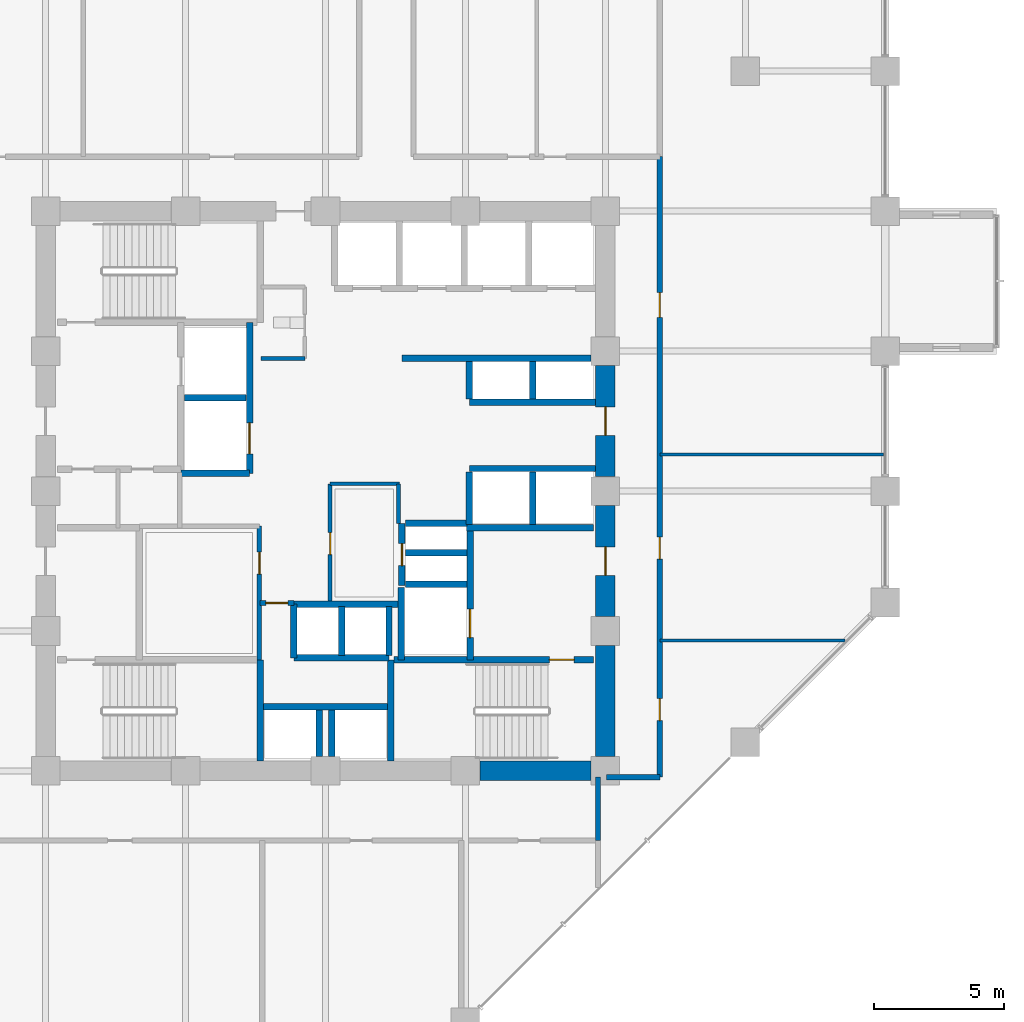
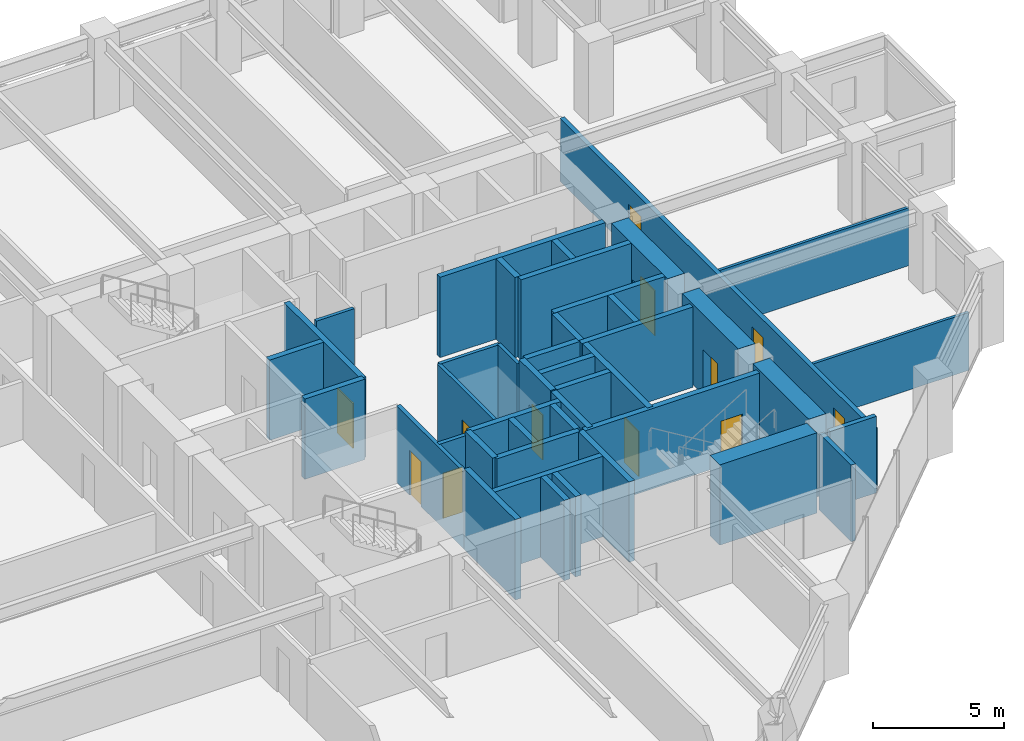
# One storey, part 23 of 29: 43 walls, 12 doors, 12 openings.
"""IFC4 building model written with IfcOpenShell, lengths in metres."""

from ifc_helpers import new_model, si_unit, direction, frame, frame_2d, origin, place, context, subcontext, project, spatial, rectangle, extrude, material, layer, layer_set, type_object, element, fill, save


model = new_model("IFC4")

# Units and contexts
model_context = context("Model", 3, precision=1e-05, world=origin(), true_north=direction((0.0, 1.0)))
body_context = subcontext(model_context, "Body", "Model", "MODEL_VIEW")
ifc_project = project(units=[si_unit("LENGTHUNIT", "METRE"), si_unit("AREAUNIT", "SQUARE_METRE"), si_unit("VOLUMEUNIT", "CUBIC_METRE"), si_unit("PLANEANGLEUNIT", "RADIAN"), si_unit("MASSUNIT", "GRAM", prefix="KILO")], contexts=[model_context])

# Site, building, storey
site_placement = place(None, origin())
site = spatial("IfcSite", under=ifc_project, at=site_placement, CompositionType="ELEMENT")
building_placement = place(site_placement, origin())
building = spatial("IfcBuilding", under=site, at=building_placement, Name="Surkhivell Harbour Commons", CompositionType="ELEMENT")
storey_placement = place(building_placement, frame((0.0, 0.0, 87.0)))
storey = spatial("IfcBuildingStorey", under=building, at=storey_placement, Name="L22", CompositionType="ELEMENT", Elevation=87.0)

# Wall
ifc_material_1 = material(Name="Concrete C60/75", Category="concrete")
ifc_layer_1 = layer(ifc_material_1, 0.75)
ifc_layer_set_1 = layer_set([ifc_layer_1], Name="Concrete C60/75")
wall_type_1 = type_object("IfcWallType", Name="WAL-CORE-750", PredefinedType="SHEAR", material=ifc_layer_set_1)
wall_1_placement = place(storey_placement, frame((10.800048828125, -10.239990234375, 0.0), z_axis=(0.0, 0.0, 1.0), x_axis=(0.0, 1.0, 0.0)))
element("IfcWall", 1, at=wall_1_placement, inside=storey, type_object=wall_type_1, Name="L22 Core Shear Wall East 1", PredefinedType="SHEAR", context=body_context, shape_type="SweptSolid", body=[
    extrude(rectangle(XDim=4.280029296875, YDim=0.75, at=frame_2d((2.14013671875, 0.0))), origin(), (0.0, 0.0, 1.0), 3.75),
])

# Wall, opening, door
wall_2_placement = place(storey_placement, frame((10.800048828125, -4.840087890625, 0.0), z_axis=(0.0, 0.0, 1.0), x_axis=(0.0, 1.0, 0.0)))
wall_2 = element("IfcWall", 2, at=wall_2_placement, inside=storey, type_object=wall_type_1, Name="L22 Core Shear Wall East 2", PredefinedType="SHEAR", context=body_context, shape_type="SweptSolid", body=[
    extrude(rectangle(XDim=4.280029296875, YDim=0.75, at=frame_2d((2.14013671875, 0.0))), origin(), (0.0, 0.0, 1.0), 3.75),
])
opening_1_placement = place(wall_2_placement, frame((1.590087890625, 0.0, 0.0)))
opening_1 = element("IfcOpeningElement", 3, at=opening_1_placement, cuts=wall_2, Name="Opening ID-1", PredefinedType="OPENING", context=body_context, shape_type="SweptSolid", body=[
    extrude(rectangle(XDim=1.10009765625, YDim=2.10009765625, at=frame_2d((0.550048828125, 1.050048828125))), frame((0.0, 0.385009765625, 0.0), z_axis=(0.0, -1.0, 0.0), x_axis=(1.0, 0.0, 0.0)), (0.0, 0.0, 1.0), 0.77001953125),
])
ifc_material_2 = material(Name="Hardwood-veneered fire-rated door leaf", Category="wood")
door_type_1 = type_object("IfcDoorType", Name="DOR-FD120-1100", OperationType="NOTDEFINED", PredefinedType="DOOR", material=ifc_material_2)
door_1_placement = place(opening_1_placement, origin())
door_1 = element("IfcDoor", 4, at=door_1_placement, inside=storey, type_object=door_type_1, Name="L22 Firefighting Lobby 2 Corridor Door", OperationType="SINGLE_SWING_RIGHT", OverallHeight=2.10009765625, OverallWidth=1.10009765625, PredefinedType="DOOR", context=body_context, shape_type="SweptSolid", body=[
    extrude(rectangle(XDim=1.10009765625, YDim=2.10009765625, at=frame_2d((0.550048828125, 1.050048828125))), frame((0.0, 0.02490234375, 0.0), z_axis=(0.0, -1.0, 0.0), x_axis=(1.0, 0.0, 0.0)), (0.0, 0.0, 1.0), 0.050048828125),
])
fill(opening_1, door_1)

wall_3_placement = place(storey_placement, frame((10.800048828125, 0.56005859375, 0.0), z_axis=(0.0, 0.0, 1.0), x_axis=(0.0, 1.0, 0.0)))
wall_3 = element("IfcWall", 5, at=wall_3_placement, inside=storey, type_object=wall_type_1, Name="L22 Core Shear Wall East 3", PredefinedType="SHEAR", context=body_context, shape_type="SweptSolid", body=[
    extrude(rectangle(XDim=4.280029296875, YDim=0.75, at=frame_2d((2.14013671875, 0.0))), origin(), (0.0, 0.0, 1.0), 3.75),
])
opening_2_placement = place(wall_3_placement, frame((1.590087890625, 0.0, 0.0)))
opening_2 = element("IfcOpeningElement", 6, at=opening_2_placement, cuts=wall_3, Name="Opening ID-2", PredefinedType="OPENING", context=body_context, shape_type="SweptSolid", body=[
    extrude(rectangle(XDim=1.10009765625, YDim=2.10009765625, at=frame_2d((0.550048828125, 1.050048828125))), frame((0.0, 0.385009765625, 0.0), z_axis=(0.0, -1.0, 0.0), x_axis=(1.0, 0.0, 0.0)), (0.0, 0.0, 1.0), 0.77001953125),
])
door_type_2 = type_object("IfcDoorType", Name="DOR-FD60-1100", OperationType="NOTDEFINED", PredefinedType="DOOR", material=ifc_material_2)
door_2_placement = place(opening_2_placement, origin())
door_2 = element("IfcDoor", 7, at=door_2_placement, inside=storey, type_object=door_type_2, Name="L22 Mid-Rise Lobby East Door", OperationType="SINGLE_SWING_LEFT", OverallHeight=2.10009765625, OverallWidth=1.10009765625, PredefinedType="DOOR", context=body_context, shape_type="SweptSolid", body=[
    extrude(rectangle(XDim=1.10009765625, YDim=2.10009765625, at=frame_2d((0.550048828125, 1.050048828125))), frame((0.0, 0.02490234375, 0.0), z_axis=(0.0, -1.0, 0.0), x_axis=(1.0, 0.0, 0.0)), (0.0, 0.0, 1.0), 0.050048828125),
])
fill(opening_2, door_2)

# Walls
wall_4_placement = place(storey_placement, frame((5.9599609375, -10.800048828125, 0.0), z_axis=(0.0, 0.0, 1.0), x_axis=(1.0, 0.0, 0.0)))
element("IfcWall", 8, at=wall_4_placement, inside=storey, type_object=wall_type_1, Name="L22 Core Shear Wall South 4", PredefinedType="SHEAR", context=body_context, shape_type="SweptSolid", body=[
    extrude(rectangle(XDim=4.280029296875, YDim=0.75, at=frame_2d((2.14013671875, 0.0))), origin(), (0.0, 0.0, 1.0), 3.75),
])
ifc_material_3 = material(Name="Moisture-resistant acoustic stud partition", Category="other")
ifc_layer_2 = layer(ifc_material_3, 0.125)
ifc_layer_set_2 = layer_set([ifc_layer_2], Name="Moisture-resistant acoustic stud partition")
wall_type_2 = type_object("IfcWallType", Name="WAL-INT-125", PredefinedType="PARTITIONING", material=ifc_layer_set_2)
wall_5_placement = place(storey_placement, frame((12.89990234375, -5.77001953125, 0.0), z_axis=(0.0, 0.0, 1.0), x_axis=(1.0, 0.0, 0.0)))
element("IfcWall", 9, at=wall_5_placement, inside=storey, type_object=wall_type_2, Name="L22 East Partition P1", PredefinedType="PARTITIONING", context=body_context, shape_type="SweptSolid", body=[
    extrude(rectangle(XDim=7.145263671875, YDim=0.125, at=frame_2d((3.57275390625, 0.0))), origin(), (0.0, 0.0, 1.0), 2.698974609375),
])
wall_6_placement = place(storey_placement, frame((12.89990234375, 1.409912109375, 0.0), z_axis=(0.0, 0.0, 1.0), x_axis=(1.0, 0.0, 0.0)))
element("IfcWall", 10, at=wall_6_placement, inside=storey, type_object=wall_type_2, Name="L22 East Partition P2", PredefinedType="PARTITIONING", context=body_context, shape_type="SweptSolid", body=[
    extrude(rectangle(XDim=8.64013671875, YDim=0.125, at=frame_2d((4.320068359375, 0.0))), origin(), (0.0, 0.0, 1.0), 2.698974609375),
])
ifc_material_4 = material(Name="Twin-stud acoustic fireboard partition", Category="other")
ifc_layer_3 = layer(ifc_material_4, 0.14990234375)
ifc_layer_set_3 = layer_set([ifc_layer_3], Name="Twin-stud acoustic fireboard partition")
wall_type_3 = type_object("IfcWallType", Name="WAL-INT-150", PredefinedType="PARTITIONING", material=ifc_layer_set_3)
wall_7_placement = place(storey_placement, frame((-2.47998046875, 5.1201171875, 0.0), z_axis=(0.0, 0.0, 1.0), x_axis=(1.0, 0.0, 0.0)))
element("IfcWall", 11, at=wall_7_placement, inside=storey, type_object=wall_type_3, Name="L22 Core Accessible WC South Wall", PredefinedType="PARTITIONING", context=body_context, shape_type="SweptSolid", body=[
    extrude(rectangle(XDim=1.679931640625, YDim=0.14990234375, at=frame_2d((0.83984375, 0.0))), origin(), (0.0, 0.0, 1.0), 3.570068359375),
])
wall_8_placement = place(storey_placement, frame((2.820068359375, -1.25, 0.0), z_axis=(0.0, 0.0, 1.0), x_axis=(0.0, 1.0, 0.0)))
element("IfcWall", 12, at=wall_8_placement, inside=storey, type_object=wall_type_3, Name="L22 Central Music East Wall", PredefinedType="PARTITIONING", context=body_context, shape_type="SweptSolid", body=[
    extrude(rectangle(XDim=1.530029296875, YDim=0.14990234375, at=frame_2d((0.76513671875, 0.0))), origin(), (0.0, 0.0, 1.0), 3.570068359375),
])
wall_9_placement = place(storey_placement, frame((0.179931640625, 0.280029296875, 0.0), z_axis=(0.0, 0.0, 1.0), x_axis=(1.0, 0.0, 0.0)))
element("IfcWall", 13, at=wall_9_placement, inside=storey, type_object=wall_type_3, Name="L22 Central Music North Wall", PredefinedType="PARTITIONING", context=body_context, shape_type="SweptSolid", body=[
    extrude(rectangle(XDim=2.670166015625, YDim=0.14990234375, at=frame_2d((1.3349609375, 0.0))), origin(), (0.0, 0.0, 1.0), 3.570068359375),
])

# Wall, opening, door
wall_10_placement = place(storey_placement, frame((0.179931640625, -4.25, 0.0), z_axis=(0.0, 0.0, 1.0), x_axis=(0.0, 1.0, 0.0)))
wall_10 = element("IfcWall", 14, at=wall_10_placement, inside=storey, type_object=wall_type_3, Name="L22 Central Music West Wall", PredefinedType="PARTITIONING", context=body_context, shape_type="SweptSolid", body=[
    extrude(rectangle(XDim=4.530029296875, YDim=0.14990234375, at=frame_2d((2.26513671875, 0.0))), origin(), (0.0, 0.0, 1.0), 3.570068359375),
])
opening_3_placement = place(wall_10_placement, frame((1.800048828125, 0.0, 0.0)))
opening_3 = element("IfcOpeningElement", 15, at=opening_3_placement, cuts=wall_10, Name="Opening ID-6", PredefinedType="OPENING", context=body_context, shape_type="SweptSolid", body=[
    extrude(rectangle(XDim=0.85009765625, YDim=2.10009765625, at=frame_2d((0.425048828125, 1.050048828125))), frame((0.0, 0.0849609375, 0.0), z_axis=(0.0, -1.0, 0.0), x_axis=(1.0, 0.0, 0.0)), (0.0, 0.0, 1.0), 0.169921875),
])
door_type_3 = type_object("IfcDoorType", Name="DOR-FD30-850", OperationType="NOTDEFINED", PredefinedType="DOOR", material=ifc_material_2)
door_3_placement = place(opening_3_placement, origin())
door_3 = element("IfcDoor", 16, at=door_3_placement, inside=storey, type_object=door_type_3, Name="L22 Central Music Door", OperationType="SINGLE_SWING_RIGHT", OverallHeight=2.10009765625, OverallWidth=0.85009765625, PredefinedType="DOOR", context=body_context, shape_type="SweptSolid", body=[
    extrude(rectangle(XDim=0.85009765625, YDim=2.10009765625, at=frame_2d((0.425048828125, 1.050048828125))), frame((0.0, 0.02490234375, 0.0), z_axis=(0.0, -1.0, 0.0), x_axis=(1.0, 0.0, 0.0)), (0.0, 0.0, 1.0), 0.050048828125),
])
fill(opening_3, door_3)

ifc_material_5 = material(Name="High-density acoustic blockwork fire partition", Category="masonry")
ifc_layer_4 = layer(ifc_material_5, 0.175048828125)
ifc_layer_set_4 = layer_set([ifc_layer_4], Name="High-density acoustic blockwork fire partition")
wall_type_4 = type_object("IfcWallType", Name="WAL-INT-175", PredefinedType="PARTITIONING", material=ifc_layer_set_4)
wall_11_placement = place(storey_placement, frame((-2.550048828125, -6.510009765625, 0.0), z_axis=(0.0, 0.0, 1.0), x_axis=(0.0, 1.0, 0.0)))
wall_11 = element("IfcWall", 17, at=wall_11_placement, inside=storey, type_object=wall_type_4, Name="L22 Core Service Bay East Wall", PredefinedType="PARTITIONING", context=body_context, shape_type="SweptSolid", body=[
    extrude(rectangle(XDim=5.159912109375, YDim=0.175048828125, at=frame_2d((2.580078125, 0.0))), origin(), (0.0, 0.0, 1.0), 3.570068359375),
])
opening_4_placement = place(wall_11_placement, frame((3.300048828125, 0.0, 0.0)))
opening_4 = element("IfcOpeningElement", 18, at=opening_4_placement, cuts=wall_11, Name="Opening ID-6", PredefinedType="OPENING", context=body_context, shape_type="SweptSolid", body=[
    extrude(rectangle(XDim=0.85009765625, YDim=2.10009765625, at=frame_2d((0.425048828125, 1.050048828125))), frame((0.0, 0.097412109375, 0.0), z_axis=(0.0, -1.0, 0.0), x_axis=(1.0, 0.0, 0.0)), (0.0, 0.0, 1.0), 0.195068359375),
])
door_4_placement = place(opening_4_placement, origin())
door_4 = element("IfcDoor", 19, at=door_4_placement, inside=storey, type_object=door_type_3, Name="L22 Core Quiet Reading Door", OperationType="SINGLE_SWING_RIGHT", OverallHeight=2.10009765625, OverallWidth=0.85009765625, PredefinedType="DOOR", context=body_context, shape_type="SweptSolid", body=[
    extrude(rectangle(XDim=0.85009765625, YDim=2.10009765625, at=frame_2d((0.425048828125, 1.050048828125))), frame((0.0, 0.02490234375, 0.0), z_axis=(0.0, -1.0, 0.0), x_axis=(1.0, 0.0, 0.0)), (0.0, 0.0, 1.0), 0.050048828125),
])
fill(opening_4, door_4)

wall_12_placement = place(storey_placement, frame((-2.52001953125, -4.320068359375, 0.0), z_axis=(0.0, 0.0, 1.0), x_axis=(1.0, 0.0, 0.0)))
wall_12 = element("IfcWall", 20, at=wall_12_placement, inside=storey, type_object=wall_type_4, Name="L22 High-Rise Lobby North Portal Wall", PredefinedType="PARTITIONING", context=body_context, shape_type="SweptSolid", body=[
    extrude(rectangle(XDim=1.300048828125, YDim=0.175048828125, at=frame_2d((0.64990234375, 0.0))), origin(), (0.0, 0.0, 1.0), 3.570068359375),
])
opening_5_placement = place(wall_12_placement, frame((0.219970703125, 0.0, 0.0)))
opening_5 = element("IfcOpeningElement", 21, at=opening_5_placement, cuts=wall_12, Name="Opening ID-6", PredefinedType="OPENING", context=body_context, shape_type="SweptSolid", body=[
    extrude(rectangle(XDim=0.85009765625, YDim=2.10009765625, at=frame_2d((0.425048828125, 1.050048828125))), frame((0.0, 0.097412109375, 0.0), z_axis=(0.0, -1.0, 0.0), x_axis=(1.0, 0.0, 0.0)), (0.0, 0.0, 1.0), 0.195068359375),
])
door_5_placement = place(opening_5_placement, origin())
door_5 = element("IfcDoor", 22, at=door_5_placement, inside=storey, type_object=door_type_3, Name="L22 High-Rise Lift Lobby North Door", OperationType="SINGLE_SWING_LEFT", OverallHeight=2.10009765625, OverallWidth=0.85009765625, PredefinedType="DOOR", context=body_context, shape_type="SweptSolid", body=[
    extrude(rectangle(XDim=0.85009765625, YDim=2.10009765625, at=frame_2d((0.425048828125, 1.050048828125))), frame((0.0, 0.02490234375, 0.0), z_axis=(0.0, -1.0, 0.0), x_axis=(1.0, 0.0, 0.0)), (0.0, 0.0, 1.0), 0.050048828125),
])
fill(opening_5, door_5)

# Wall, openings, doors
ifc_material_6 = material(Name="Autoclaved aerated concrete blockwork and fire plaster", Category="masonry")
ifc_layer_5 = layer(ifc_material_6, 0.199951171875)
ifc_layer_set_5 = layer_set([ifc_layer_5], Name="Autoclaved aerated concrete blockwork and fire plaster")
wall_type_5 = type_object("IfcWallType", Name="WAL-INT-200", PredefinedType="PARTITIONING", material=ifc_layer_set_5)
wall_13_placement = place(storey_placement, frame((12.89990234375, -11.0400390625, 0.0), z_axis=(0.0, 0.0, 1.0), x_axis=(0.0, 1.0, 0.0)))
wall_13 = element("IfcWall", 23, at=wall_13_placement, inside=storey, type_object=wall_type_5, Name="L22 Corridor East Wall", PredefinedType="PARTITIONING", context=body_context, shape_type="SweptSolid", body=[
    extrude(rectangle(XDim=23.93994140625, YDim=0.199951171875, at=frame_2d((11.969970703125, 0.0))), origin(), (0.0, 0.0, 1.0), 2.93310546875),
])
opening_6_placement = place(wall_13_placement, frame((2.18505859375, 0.0, 0.0)))
opening_6 = element("IfcOpeningElement", 24, at=opening_6_placement, cuts=wall_13, Name="Opening ID-6", PredefinedType="OPENING", context=body_context, shape_type="SweptSolid", body=[
    extrude(rectangle(XDim=0.85009765625, YDim=2.10009765625, at=frame_2d((0.425048828125, 1.050048828125))), frame((0.0, 0.10986328125, 0.0), z_axis=(0.0, -1.0, 0.0), x_axis=(1.0, 0.0, 0.0)), (0.0, 0.0, 1.0), 0.219970703125),
])
opening_7_placement = place(wall_13_placement, frame((8.409912109375, 0.0, 0.0)))
opening_7 = element("IfcOpeningElement", 25, at=opening_7_placement, cuts=wall_13, Name="Opening ID-6", PredefinedType="OPENING", context=body_context, shape_type="SweptSolid", body=[
    extrude(rectangle(XDim=0.85009765625, YDim=2.10009765625, at=frame_2d((0.425048828125, 1.050048828125))), frame((0.0, 0.10986328125, 0.0), z_axis=(0.0, -1.0, 0.0), x_axis=(1.0, 0.0, 0.0)), (0.0, 0.0, 1.0), 0.219970703125),
])
opening_8_placement = place(wall_13_placement, frame((17.7451171875, 0.0, 0.0)))
opening_8 = element("IfcOpeningElement", 26, at=opening_8_placement, cuts=wall_13, Name="Opening ID-4", PredefinedType="OPENING", context=body_context, shape_type="SweptSolid", body=[
    extrude(rectangle(XDim=0.949951171875, YDim=2.10009765625, at=frame_2d((0.47509765625, 1.050048828125))), frame((0.0, 0.10986328125, 0.0), z_axis=(0.0, -1.0, 0.0), x_axis=(1.0, 0.0, 0.0)), (0.0, 0.0, 1.0), 0.219970703125),
])
door_6_placement = place(opening_6_placement, origin())
door_6 = element("IfcDoor", 27, at=door_6_placement, inside=storey, type_object=door_type_3, Name="L22 Co-Working Study Office 1 East Door", OperationType="SINGLE_SWING_RIGHT", OverallHeight=2.10009765625, OverallWidth=0.85009765625, PredefinedType="DOOR", context=body_context, shape_type="SweptSolid", body=[
    extrude(rectangle(XDim=0.85009765625, YDim=2.10009765625, at=frame_2d((0.425048828125, 1.050048828125))), frame((0.0, 0.02490234375, 0.0), z_axis=(0.0, -1.0, 0.0), x_axis=(1.0, 0.0, 0.0)), (0.0, 0.0, 1.0), 0.050048828125),
])
fill(opening_6, door_6)
door_7_placement = place(opening_7_placement, origin())
door_7 = element("IfcDoor", 28, at=door_7_placement, inside=storey, type_object=door_type_3, Name="L22 Co-Working Study Office 2 East Door", OperationType="SINGLE_SWING_LEFT", OverallHeight=2.10009765625, OverallWidth=0.85009765625, PredefinedType="DOOR", context=body_context, shape_type="SweptSolid", body=[
    extrude(rectangle(XDim=0.85009765625, YDim=2.10009765625, at=frame_2d((0.425048828125, 1.050048828125))), frame((0.0, 0.02490234375, 0.0), z_axis=(0.0, -1.0, 0.0), x_axis=(1.0, 0.0, 0.0)), (0.0, 0.0, 1.0), 0.050048828125),
])
fill(opening_7, door_7)
door_type_4 = type_object("IfcDoorType", Name="DOR-FD60-950", OperationType="NOTDEFINED", PredefinedType="DOOR", material=ifc_material_2)
door_8_placement = place(opening_8_placement, origin())
door_8 = element("IfcDoor", 29, at=door_8_placement, inside=storey, type_object=door_type_4, Name="L22 Co-Working Study Office 3 East Door", OperationType="SINGLE_SWING_RIGHT", OverallHeight=2.10009765625, OverallWidth=0.949951171875, PredefinedType="DOOR", context=body_context, shape_type="SweptSolid", body=[
    extrude(rectangle(XDim=0.949951171875, YDim=2.10009765625, at=frame_2d((0.47509765625, 1.050048828125))), frame((0.0, 0.02490234375, 0.0), z_axis=(0.0, -1.0, 0.0), x_axis=(1.0, 0.0, 0.0)), (0.0, 0.0, 1.0), 0.050048828125),
])
fill(opening_8, door_8)

# Walls
wall_14_placement = place(storey_placement, frame((10.85009765625, -11.0400390625, 0.0), z_axis=(0.0, 0.0, 1.0), x_axis=(1.0, 0.0, 0.0)))
element("IfcWall", 30, at=wall_14_placement, inside=storey, type_object=wall_type_5, Name="L22 Corridor East South Closure Wall", PredefinedType="PARTITIONING", context=body_context, shape_type="SweptSolid", body=[
    extrude(rectangle(XDim=2.0498046875, YDim=0.199951171875, at=frame_2d((1.02490234375, 0.0))), origin(), (0.0, 0.0, 1.0), 3.570068359375),
])
wall_15_placement = place(storey_placement, frame((10.52001953125, -13.47998046875, 0.0), z_axis=(0.0, 0.0, 1.0), x_axis=(0.0, 1.0, 0.0)))
element("IfcWall", 31, at=wall_15_placement, inside=storey, type_object=wall_type_5, Name="L22 Corridor SE Closure Wall", PredefinedType="PARTITIONING", context=body_context, shape_type="SweptSolid", body=[
    extrude(rectangle(XDim=2.43994140625, YDim=0.199951171875, at=frame_2d((1.219970703125, 0.0))), origin(), (0.0, 0.0, 1.0), 3.570068359375),
])
ifc_material_7 = material(Name="Concrete C50/60", Category="concrete")
ifc_layer_6 = layer(ifc_material_7, 0.25)
ifc_layer_set_6 = layer_set([ifc_layer_6], Name="Concrete C50/60")
wall_type_6 = type_object("IfcWallType", Name="WAL-SHAFT-250", PredefinedType="SHEAR", material=ifc_layer_set_6)
wall_16_placement = place(storey_placement, frame((2.929931640625, -6.510009765625, 0.0), z_axis=(0.0, 0.0, 1.0), x_axis=(0.0, 1.0, 0.0)))
element("IfcWall", 32, at=wall_16_placement, inside=storey, type_object=wall_type_6, Name="L22 FFL2 West Shaft Wall", PredefinedType="SHEAR", context=body_context, shape_type="SweptSolid", body=[
    extrude(rectangle(XDim=2.7900390625, YDim=0.25, at=frame_2d((1.39501953125, 0.0))), origin(), (0.0, 0.0, 1.0), 3.75),
])
wall_17_placement = place(storey_placement, frame((5.43994140625, -1.419921875, 0.0), z_axis=(0.0, 0.0, 1.0), x_axis=(1.0, 0.0, 0.0)))
element("IfcWall", 33, at=wall_17_placement, inside=storey, type_object=wall_type_6, Name="L22 Firefighting Lobby 2 North Wall", PredefinedType="SHEAR", context=body_context, shape_type="SweptSolid", body=[
    extrude(rectangle(XDim=4.900146484375, YDim=0.25, at=frame_2d((2.4501953125, 0.0))), origin(), (0.0, 0.0, 1.0), 3.75),
])
wall_18_placement = place(storey_placement, frame((3.080078125, -3.60009765625, 0.0), z_axis=(0.0, 0.0, 1.0), x_axis=(1.0, 0.0, 0.0)))
element("IfcWall", 34, at=wall_18_placement, inside=storey, type_object=wall_type_6, Name="L22 FFL2 North Shaft Wall", PredefinedType="SHEAR", context=body_context, shape_type="SweptSolid", body=[
    extrude(rectangle(XDim=2.369873046875, YDim=0.25, at=frame_2d((1.18505859375, 0.0))), origin(), (0.0, 0.0, 1.0), 3.75),
])

# Wall, opening, door
wall_19_placement = place(storey_placement, frame((5.580078125, -6.510009765625, 0.0), z_axis=(0.0, 0.0, 1.0), x_axis=(0.0, 1.0, 0.0)))
wall_19 = element("IfcWall", 35, at=wall_19_placement, inside=storey, type_object=wall_type_6, Name="L22 Firefighting Lobby 2 West Shaft Wall", PredefinedType="SHEAR", context=body_context, shape_type="SweptSolid", body=[
    extrude(rectangle(XDim=5.090087890625, YDim=0.25, at=frame_2d((2.544921875, 0.0))), origin(), (0.0, 0.0, 1.0), 3.75),
])
opening_9_placement = place(wall_19_placement, frame((0.85009765625, 0.0, 0.0)))
opening_9 = element("IfcOpeningElement", 36, at=opening_9_placement, cuts=wall_19, Name="Opening LD-1", PredefinedType="OPENING", context=body_context, shape_type="SweptSolid", body=[
    extrude(rectangle(XDim=1.10009765625, YDim=2.10009765625, at=frame_2d((0.550048828125, 1.050048828125))), frame((0.0, 0.135009765625, 0.0), z_axis=(0.0, -1.0, 0.0), x_axis=(1.0, 0.0, 0.0)), (0.0, 0.0, 1.0), 0.27001953125),
])
ifc_material_8 = material(Name="Brushed stainless steel S355", Category="steel")
door_type_5 = type_object("IfcDoorType", Name="DOR-LD-1100", OperationType="SLIDING_TO_LEFT", PredefinedType="DOOR", material=ifc_material_8)
door_9_placement = place(opening_9_placement, origin())
door_9 = element("IfcDoor", 37, at=door_9_placement, inside=storey, type_object=door_type_5, Name="L22 Lift Landing Door LD-FFL2", OperationType="SLIDING_TO_RIGHT", OverallHeight=2.10009765625, OverallWidth=1.10009765625, PredefinedType="DOOR", context=body_context, shape_type="SweptSolid", body=[
    extrude(rectangle(XDim=1.10009765625, YDim=2.10009765625, at=frame_2d((0.550048828125, 1.050048828125))), frame((0.0, 0.02490234375, 0.0), z_axis=(0.0, -1.0, 0.0), x_axis=(1.0, 0.0, 0.0)), (0.0, 0.0, 1.0), 0.050048828125),
])
fill(opening_9, door_9)

# Walls
for number, where, z_axis, x_axis, name in (
    (38, (0.6201171875, -6.340087890625, 0.0), (0.0, 0.0, 1.0), (0.0, 1.0, 0.0), "L22 High-Rise Side Wall N"),
    (39, (2.449951171875, -6.340087890625, 0.0), (0.0, 0.0, 1.0), (0.0, 1.0, 0.0), "L22 High-Rise Side Wall N"),
):
    element("IfcWall", number, at=place(storey_placement, frame(where, z_axis=z_axis, x_axis=x_axis)), inside=storey, type_object=wall_type_6, Name=name, PredefinedType="SHEAR", context=body_context, shape_type="SweptSolid", body=[
        extrude(rectangle(XDim=1.880126953125, YDim=0.25, at=frame_2d((0.93994140625, 0.0))), origin(), (0.0, 0.0, 1.0), 3.75),
    ])
for number, where, z_axis, x_axis, name in (
    (40, (-0.25, -10.25, 0.0), (0.0, 0.0, 1.0), (0.0, 1.0, 0.0), "L22 High-Rise Side Wall S"),
    (41, (0.25, -10.25, 0.0), (0.0, 0.0, 1.0), (0.0, 1.0, 0.0), "L22 High-Rise Side Wall S"),
):
    element("IfcWall", number, at=place(storey_placement, frame(where, z_axis=z_axis, x_axis=x_axis)), inside=storey, type_object=wall_type_6, Name=name, PredefinedType="SHEAR", context=body_context, shape_type="SweptSolid", body=[
        extrude(rectangle(XDim=1.81005859375, YDim=0.25, at=frame_2d((0.905029296875, 0.0))), origin(), (0.0, 0.0, 1.0), 3.75),
    ])
wall_20_placement = place(storey_placement, frame((-1.219970703125, -6.43994140625, 0.0), z_axis=(0.0, 0.0, 1.0), x_axis=(0.0, 1.0, 0.0)))
element("IfcWall", 42, at=wall_20_placement, inside=storey, type_object=wall_type_6, Name="L22 High-Rise Passage East Shaft Wall", PredefinedType="SHEAR", context=body_context, shape_type="SweptSolid", body=[
    extrude(rectangle(XDim=2.079833984375, YDim=0.25, at=frame_2d((1.0400390625, 0.0))), origin(), (0.0, 0.0, 1.0), 3.75),
])
wall_21_placement = place(storey_placement, frame((-1.219970703125, -6.43994140625, 0.0), z_axis=(0.0, 0.0, 1.0), x_axis=(1.0, 0.0, 0.0)))
element("IfcWall", 43, at=wall_21_placement, inside=storey, type_object=wall_type_6, Name="L22 High-Rise North Front Shaft Wall", PredefinedType="SHEAR", context=body_context, shape_type="SweptSolid", body=[
    extrude(rectangle(XDim=3.669921875, YDim=0.25, at=frame_2d((1.8349609375, 0.0))), origin(), (0.0, 0.0, 1.0), 3.75),
])
wall_22_placement = place(storey_placement, frame((-2.47998046875, -8.320068359375, 0.0), z_axis=(0.0, 0.0, 1.0), x_axis=(1.0, 0.0, 0.0)))
element("IfcWall", 44, at=wall_22_placement, inside=storey, type_object=wall_type_6, Name="L22 High-Rise South Front Shaft Wall", PredefinedType="SHEAR", context=body_context, shape_type="SweptSolid", body=[
    extrude(rectangle(XDim=4.929931640625, YDim=0.25, at=frame_2d((2.46484375, 0.0))), origin(), (0.0, 0.0, 1.0), 3.75),
])
wall_23_placement = place(storey_placement, frame((-1.219970703125, -4.360107421875, 0.0), z_axis=(0.0, 0.0, 1.0), x_axis=(1.0, 0.0, 0.0)))
element("IfcWall", 45, at=wall_23_placement, inside=storey, type_object=wall_type_6, Name="L22 High-Rise North Back Shaft Wall", PredefinedType="SHEAR", context=body_context, shape_type="SweptSolid", body=[
    extrude(rectangle(XDim=4.030029296875, YDim=0.25, at=frame_2d((2.01513671875, 0.0))), origin(), (0.0, 0.0, 1.0), 3.75),
])
wall_24_placement = place(storey_placement, frame((2.949951171875, 5.1201171875, 0.0), z_axis=(0.0, 0.0, 1.0), x_axis=(1.0, 0.0, 0.0)))
element("IfcWall", 46, at=wall_24_placement, inside=storey, type_object=wall_type_6, Name="L22 Low-Rise Lobby South Wall", PredefinedType="SHEAR", context=body_context, shape_type="SweptSolid", body=[
    extrude(rectangle(XDim=7.300048828125, YDim=0.25, at=frame_2d((3.64990234375, 0.0))), origin(), (0.0, 0.0, 1.0), 3.75),
])
for number, where, z_axis, x_axis, name in (
    (47, (5.550048828125, 3.550048828125, 0.0), (0.0, 0.0, 1.0), (0.0, 1.0, 0.0), "L22 Mid-Rise Shaft Side Wall N"),
    (48, (8.0, 3.550048828125, 0.0), (0.0, 0.0, 1.0), (0.0, 1.0, 0.0), "L22 Mid-Rise Shaft Side Wall N"),
):
    element("IfcWall", number, at=place(storey_placement, frame(where, z_axis=z_axis, x_axis=x_axis)), inside=storey, type_object=wall_type_6, Name=name, PredefinedType="SHEAR", context=body_context, shape_type="SweptSolid", body=[
        extrude(rectangle(XDim=1.449951171875, YDim=0.25, at=frame_2d((0.72509765625, 0.0))), origin(), (0.0, 0.0, 1.0), 3.75),
    ])
for number, where, z_axis, x_axis, name in (
    (49, (5.550048828125, -1.300048828125, 0.0), (0.0, 0.0, 1.0), (0.0, 1.0, 0.0), "L22 Mid-Rise Shaft Side Wall S"),
    (50, (8.0, -1.300048828125, 0.0), (0.0, 0.0, 1.0), (0.0, 1.0, 0.0), "L22 Mid-Rise Shaft Side Wall S"),
):
    element("IfcWall", number, at=place(storey_placement, frame(where, z_axis=z_axis, x_axis=x_axis)), inside=storey, type_object=wall_type_6, Name=name, PredefinedType="SHEAR", context=body_context, shape_type="SweptSolid", body=[
        extrude(rectangle(XDim=2.0400390625, YDim=0.25, at=frame_2d((1.02001953125, 0.0))), origin(), (0.0, 0.0, 1.0), 3.75),
    ])
for number, where, z_axis, x_axis, name in (
    (51, (5.550048828125, 3.429931640625, 0.0), (0.0, 0.0, 1.0), (1.0, 0.0, 0.0), "L22 Mid-Rise North Front Shaft Wall"),
    (52, (5.550048828125, 0.8701171875, 0.0), (0.0, 0.0, 1.0), (1.0, 0.0, 0.0), "L22 Mid-Rise South Front Shaft Wall"),
):
    element("IfcWall", number, at=place(storey_placement, frame(where, z_axis=z_axis, x_axis=x_axis)), inside=storey, type_object=wall_type_6, Name=name, PredefinedType="SHEAR", context=body_context, shape_type="SweptSolid", body=[
        extrude(rectangle(XDim=4.875, YDim=0.25, at=frame_2d((2.4375, 0.0))), origin(), (0.0, 0.0, 1.0), 3.75),
    ])
for number, where, z_axis, x_axis, name in (
    (53, (3.080078125, -2.3798828125, 0.0), (0.0, 0.0, 1.0), (1.0, 0.0, 0.0), "L22 Riser Divider Wall"),
    (54, (3.080078125, -1.25, 0.0), (0.0, 0.0, 1.0), (1.0, 0.0, 0.0), "L22 Riser North Wall"),
):
    element("IfcWall", number, at=place(storey_placement, frame(where, z_axis=z_axis, x_axis=x_axis)), inside=storey, type_object=wall_type_6, Name=name, PredefinedType="SHEAR", context=body_context, shape_type="SweptSolid", body=[
        extrude(rectangle(XDim=2.369873046875, YDim=0.25, at=frame_2d((1.18505859375, 0.0))), origin(), (0.0, 0.0, 1.0), 3.75),
    ])

# Wall, opening, door
wall_25_placement = place(storey_placement, frame((2.949951171875, -3.64990234375, 0.0), z_axis=(0.0, 0.0, 1.0), x_axis=(0.0, 1.0, 0.0)))
wall_25 = element("IfcWall", 55, at=wall_25_placement, inside=storey, type_object=wall_type_6, Name="L22 Riser Shaft West Wall", PredefinedType="SHEAR", context=body_context, shape_type="SweptSolid", body=[
    extrude(rectangle(XDim=2.39990234375, YDim=0.25, at=frame_2d((1.199951171875, 0.0))), origin(), (0.0, 0.0, 1.0), 3.75),
])
opening_10_placement = place(wall_25_placement, frame((0.77490234375, 0.0, 0.0)))
opening_10 = element("IfcOpeningElement", 56, at=opening_10_placement, cuts=wall_25, Name="Opening ID-6", PredefinedType="OPENING", context=body_context, shape_type="SweptSolid", body=[
    extrude(rectangle(XDim=0.85009765625, YDim=2.10009765625, at=frame_2d((0.425048828125, 1.050048828125))), frame((0.0, 0.135009765625, 0.0), z_axis=(0.0, -1.0, 0.0), x_axis=(1.0, 0.0, 0.0)), (0.0, 0.0, 1.0), 0.27001953125),
])
door_10_placement = place(opening_10_placement, origin())
door_10 = element("IfcDoor", 57, at=door_10_placement, inside=storey, type_object=door_type_3, Name="L22 Electrical Riser Access Door", OperationType="SINGLE_SWING_LEFT", OverallHeight=2.10009765625, OverallWidth=0.85009765625, PredefinedType="DOOR", context=body_context, shape_type="SweptSolid", body=[
    extrude(rectangle(XDim=0.85009765625, YDim=2.10009765625, at=frame_2d((0.425048828125, 1.050048828125))), frame((0.0, 0.02490234375, 0.0), z_axis=(0.0, -1.0, 0.0), x_axis=(1.0, 0.0, 0.0)), (0.0, 0.0, 1.0), 0.050048828125),
])
fill(opening_10, door_10)

wall_26_placement = place(storey_placement, frame((2.639892578125, -6.510009765625, 0.0), z_axis=(0.0, 0.0, 1.0), x_axis=(1.0, 0.0, 0.0)))
wall_26 = element("IfcWall", 58, at=wall_26_placement, inside=storey, type_object=wall_type_6, Name="L22 Stair ST2 North Shear Wall", PredefinedType="SHEAR", context=body_context, shape_type="SweptSolid", body=[
    extrude(rectangle(XDim=7.7001953125, YDim=0.25, at=frame_2d((3.85009765625, 0.0))), origin(), (0.0, 0.0, 1.0), 3.75),
])
opening_11_placement = place(wall_26_placement, frame((6.0, 0.0, 0.0)))
opening_11 = element("IfcOpeningElement", 59, at=opening_11_placement, cuts=wall_26, Name="Opening ID-4", PredefinedType="OPENING", context=body_context, shape_type="SweptSolid", body=[
    extrude(rectangle(XDim=0.949951171875, YDim=2.10009765625, at=frame_2d((0.47509765625, 1.050048828125))), frame((0.0, 0.135009765625, 0.0), z_axis=(0.0, -1.0, 0.0), x_axis=(1.0, 0.0, 0.0)), (0.0, 0.0, 1.0), 0.27001953125),
])
door_11_placement = place(opening_11_placement, origin())
door_11 = element("IfcDoor", 60, at=door_11_placement, inside=storey, type_object=door_type_4, Name="L22 Stair ST2 Exit Door", OperationType="SINGLE_SWING_RIGHT", OverallHeight=2.10009765625, OverallWidth=0.949951171875, PredefinedType="DOOR", context=body_context, shape_type="SweptSolid", body=[
    extrude(rectangle(XDim=0.949951171875, YDim=2.10009765625, at=frame_2d((0.47509765625, 1.050048828125))), frame((0.0, 0.02490234375, 0.0), z_axis=(0.0, -1.0, 0.0), x_axis=(1.0, 0.0, 0.0)), (0.0, 0.0, 1.0), 0.050048828125),
])
fill(opening_11, door_11)

# Walls
for number, where, z_axis, x_axis, name in (
    (61, (2.510009765625, -10.425048828125, 0.0), (0.0, 0.0, 1.0), (0.0, 1.0, 0.0), "L22 Stair ST2 West Shear Wall"),
    (62, (-2.510009765625, -10.425048828125, 0.0), (0.0, 0.0, 1.0), (0.0, 1.0, 0.0), "L22 Stair ST3 East Shear Wall"),
):
    element("IfcWall", number, at=place(storey_placement, frame(where, z_axis=z_axis, x_axis=x_axis)), inside=storey, type_object=wall_type_6, Name=name, PredefinedType="SHEAR", context=body_context, shape_type="SweptSolid", body=[
        extrude(rectangle(XDim=3.9150390625, YDim=0.25, at=frame_2d((1.95751953125, 0.0))), origin(), (0.0, 0.0, 1.0), 3.75),
    ])

# Wall, opening, door
wall_27_placement = place(storey_placement, frame((-2.929931640625, 0.679931640625, 0.0), z_axis=(0.0, 0.0, 1.0), x_axis=(0.0, 1.0, 0.0)))
wall_27 = element("IfcWall", 63, at=wall_27_placement, inside=storey, type_object=wall_type_6, Name="L22 Service and Fire Lift East Shaft Wall", PredefinedType="SHEAR", context=body_context, shape_type="SweptSolid", body=[
    extrude(rectangle(XDim=5.830078125, YDim=0.25, at=frame_2d((2.9150390625, 0.0))), origin(), (0.0, 0.0, 1.0), 3.75),
])
opening_12_placement = place(wall_27_placement, frame((0.75, 0.0, 0.0)))
opening_12 = element("IfcOpeningElement", 64, at=opening_12_placement, cuts=wall_27, Name="Opening LD-2", PredefinedType="OPENING", context=body_context, shape_type="SweptSolid", body=[
    extrude(rectangle(XDim=1.199951171875, YDim=2.10009765625, at=frame_2d((0.60009765625, 1.050048828125))), frame((0.0, 0.135009765625, 0.0), z_axis=(0.0, -1.0, 0.0), x_axis=(1.0, 0.0, 0.0)), (0.0, 0.0, 1.0), 0.27001953125),
])
door_type_6 = type_object("IfcDoorType", Name="DOR-LD-1200", OperationType="SLIDING_TO_LEFT", PredefinedType="DOOR", material=ifc_material_8)
door_12_placement = place(opening_12_placement, origin())
door_12 = element("IfcDoor", 65, at=door_12_placement, inside=storey, type_object=door_type_6, Name="L22 Lift Landing Door LD-SVL1", OperationType="SLIDING_TO_LEFT", OverallHeight=2.10009765625, OverallWidth=1.199951171875, PredefinedType="DOOR", context=body_context, shape_type="SweptSolid", body=[
    extrude(rectangle(XDim=1.199951171875, YDim=2.10009765625, at=frame_2d((0.60009765625, 1.050048828125))), frame((0.0, 0.02490234375, 0.0), z_axis=(0.0, -1.0, 0.0), x_axis=(1.0, 0.0, 0.0)), (0.0, 0.0, 1.0), 0.050048828125),
])
fill(opening_12, door_12)

# Walls
wall_28_placement = place(storey_placement, frame((-5.449951171875, 3.60009765625, 0.0), z_axis=(0.0, 0.0, 1.0), x_axis=(1.0, 0.0, 0.0)))
element("IfcWall", 66, at=wall_28_placement, inside=storey, type_object=wall_type_6, Name="L22 FFL1/SVL1 Shaft Divider", PredefinedType="SHEAR", context=body_context, shape_type="SweptSolid", body=[
    extrude(rectangle(XDim=2.389892578125, YDim=0.25, at=frame_2d((1.19482421875, 0.0))), origin(), (0.0, 0.0, 1.0), 3.75),
])
wall_29_placement = place(storey_placement, frame((-5.580078125, 0.679931640625, 0.0), z_axis=(0.0, 0.0, 1.0), x_axis=(1.0, 0.0, 0.0)))
element("IfcWall", 67, at=wall_29_placement, inside=storey, type_object=wall_type_6, Name="L22 SVL1 South Shaft Wall", PredefinedType="SHEAR", context=body_context, shape_type="SweptSolid", body=[
    extrude(rectangle(XDim=2.650146484375, YDim=0.25, at=frame_2d((1.3251953125, 0.0))), origin(), (0.0, 0.0, 1.0), 3.75),
])

save(model, "model.ifc")
